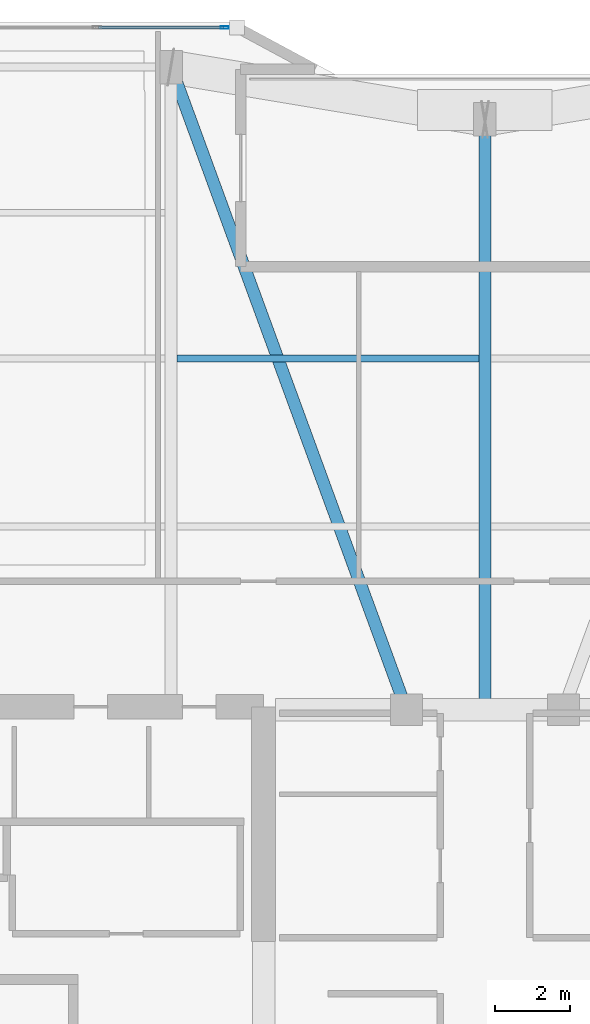
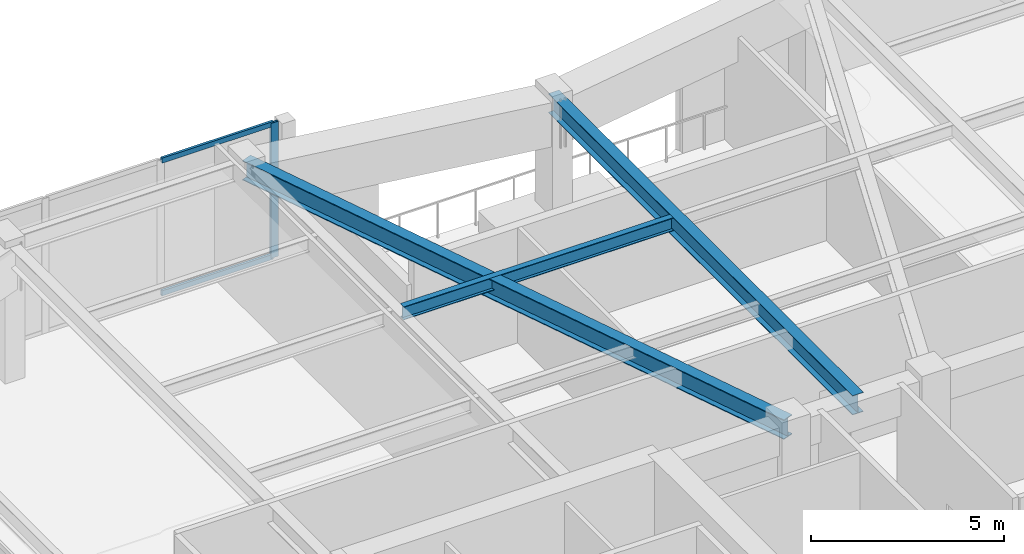
# One storey, part 8 of 19: 3 beams, 3 members, 1 element without a shape of its own.
"""IFC4 building model written with IfcOpenShell, lengths in metres."""

from ifc_helpers import new_model, si_unit, direction, frame, origin, origin_2d, place, context, subcontext, project, spatial, hollow_rectangle, i_section, extrude, material, layer, layer_set, material_profile, profile_set, type_object, element, aggregate, save


model = new_model("IFC4")

# Units and contexts
model_context = context("Model", 3, precision=1e-05, world=origin(), true_north=direction((0.0, 1.0)))
body_context = subcontext(model_context, "Body", "Model", "MODEL_VIEW")
ifc_project = project(units=[si_unit("LENGTHUNIT", "METRE"), si_unit("AREAUNIT", "SQUARE_METRE"), si_unit("VOLUMEUNIT", "CUBIC_METRE"), si_unit("PLANEANGLEUNIT", "RADIAN"), si_unit("MASSUNIT", "GRAM", prefix="KILO")], contexts=[model_context])

# Site, building, storey
site_placement = place(None, origin())
site = spatial("IfcSite", under=ifc_project, at=site_placement, CompositionType="ELEMENT")
building_placement = place(site_placement, origin())
building = spatial("IfcBuilding", under=site, at=building_placement, Name="Kiyonajd Concourse Tower", CompositionType="ELEMENT")
storey_placement = place(building_placement, frame((0.0, 0.0, 238.800048828125)))
storey = spatial("IfcBuildingStorey", under=building, at=storey_placement, Name="L60", CompositionType="ELEMENT", Elevation=238.800048828125)

# Beams
ifc_material_1 = material(Name="Steel ASTM A992 Grade 50", Category="steel")
ifc_material_profile_1 = material_profile(ifc_material_1, i_section(OverallWidth=0.180908203125, OverallDepth=0.4169921875, WebThickness=0.010986328125, FlangeThickness=0.018310546875, at=origin_2d()), Name="W410X85")
ifc_profile_set_1 = profile_set([ifc_material_profile_1], Name="Steel ASTM A992 Grade 50")
beam_type_1 = type_object("IfcBeamType", Name="BM-JST-410", PredefinedType="JOIST", material=ifc_profile_set_1)
beam_1_placement = place(storey_placement, frame((39.761962890625, 53.39990234375, 4.071533203125), z_axis=(1.0, 0.0, 0.0), x_axis=(0.0, 1.0, 0.0)))
element("IfcBeam", 1, at=beam_1_placement, inside=storey, type_object=beam_type_1, Name="L60 Secondary Floor Joist", PredefinedType="JOIST", context=body_context, shape_type="SweptSolid", body=[
    extrude(i_section(OverallWidth=0.180908203125, OverallDepth=0.4169921875, WebThickness=0.010986328125, FlangeThickness=0.018310546875, at=origin_2d()), origin(), (0.0, 0.0, 1.0), 8.075927734375),
])
ifc_material_profile_2 = material_profile(ifc_material_1, i_section(OverallWidth=0.326904296875, OverallDepth=0.6220703125, WebThickness=0.015380859375, FlangeThickness=0.0244140625, at=origin_2d()), Name="W610X195")
ifc_profile_set_2 = profile_set([ifc_material_profile_2], Name="Steel ASTM A992 Grade 50")
beam_type_2 = type_object("IfcBeamType", Name="BM-TWR-610A", PredefinedType="BEAM", material=ifc_profile_set_2)
beam_2_placement = place(storey_placement, frame((39.60009765625, 61.199951171875, 3.968994140625), z_axis=(0.343925269715, -0.938997022813, 0.0), x_axis=(0.938997022813, 0.343925269715, 0.0)))
element("IfcBeam", 2, at=beam_2_placement, inside=storey, type_object=beam_type_2, Name="L60 Core Tie Girder", PredefinedType="BEAM", context=body_context, shape_type="SweptSolid", body=[
    extrude(i_section(OverallWidth=0.326904296875, OverallDepth=0.6220703125, WebThickness=0.015380859375, FlangeThickness=0.0244140625, at=origin_2d()), origin(), (0.0, 0.0, 1.0), 18.3173828125),
])
ifc_material_profile_3 = material_profile(ifc_material_1, i_section(OverallWidth=0.323974609375, OverallDepth=0.611083984375, WebThickness=0.0126953125, FlangeThickness=0.01904296875, at=origin_2d()), Name="W610X155")
ifc_profile_set_3 = profile_set([ifc_material_profile_3], Name="Steel ASTM A992 Grade 50")
beam_type_3 = type_object("IfcBeamType", Name="BM-TWR-610B", PredefinedType="BEAM", material=ifc_profile_set_3)
beam_3_placement = place(storey_placement, frame((48.0, 44.0, 3.974365234375), z_axis=(0.0, 1.0, 0.0), x_axis=(-1.0, 0.0, 0.0)))
element("IfcBeam", 3, at=beam_3_placement, inside=storey, type_object=beam_type_3, Name="L60 North Ribbon Girder", PredefinedType="BEAM", context=body_context, shape_type="SweptSolid", body=[
    extrude(i_section(OverallWidth=0.323974609375, OverallDepth=0.611083984375, WebThickness=0.0126953125, FlangeThickness=0.01904296875, at=origin_2d()), origin(), (0.0, 0.0, 1.0), 15.800048828125),
])

# Curtain wall, members
ifc_material_2 = material(Name="Thermally Broken Anodised Aluminium", Category="aluminium")
ifc_layer = layer(ifc_material_2, 0.179931640625)
ifc_layer_set = layer_set([ifc_layer], Name="Thermally Broken Anodised Aluminium")
curtain_wall_type = type_object("IfcCurtainWallType", Name="CW-SYS-05", PredefinedType="NOTDEFINED", material=ifc_layer_set)
curtain_wall_placement = place(storey_placement, origin())
curtain_wall = element("IfcCurtainWall", 4, at=curtain_wall_placement, inside=storey, type_object=curtain_wall_type, Name="L60 Unitised Curtain Wall CW5", PredefinedType="NOTDEFINED")
ifc_material_profile_4 = material_profile(ifc_material_2, hollow_rectangle(XDim=0.074951171875, YDim=0.219970703125, WallThickness=0.0048828125, at=origin_2d()), Name="MULL-75x220")
ifc_profile_set_4 = profile_set([ifc_material_profile_4], Name="Thermally Broken Anodised Aluminium")
member_type_1 = type_object("IfcMemberType", Name="MB-CW-MULL2", PredefinedType="MULLION", material=ifc_profile_set_4)
member_1_placement = place(storey_placement, frame((41.037109375, 62.260009765625, 0.0), z_axis=(0.0, 0.0, 1.0), x_axis=(0.0, 1.0, 0.0)))
member_1 = element("IfcMember", 5, at=member_1_placement, type_object=member_type_1, Name="CW5 mullion 4", PredefinedType="MULLION", context=body_context, shape_type="SweptSolid", body=[
    extrude(hollow_rectangle(XDim=0.074951171875, YDim=0.219970703125, WallThickness=0.0048828125, at=origin_2d()), origin(), (0.0, 0.0, 1.0), 4.280029296875),
])
ifc_material_profile_5 = material_profile(ifc_material_2, hollow_rectangle(XDim=0.074951171875, YDim=0.159912109375, WallThickness=0.0048828125, at=origin_2d()), Name="TRAN-75x160")
ifc_profile_set_5 = profile_set([ifc_material_profile_5], Name="Thermally Broken Anodised Aluminium")
member_type_2 = type_object("IfcMemberType", Name="MB-CW-TRAN2", PredefinedType="USERDEFINED", material=ifc_profile_set_5)
member_2_placement = place(storey_placement, frame((37.65673828125, 62.260009765625, 0.037353515625), z_axis=(1.0, 0.0, 0.0), x_axis=(0.0, 1.0, 0.0)))
member_2 = element("IfcMember", 6, at=member_2_placement, type_object=member_type_2, Name="CW5 transom 3.1", ObjectType="TRANSOM", PredefinedType="USERDEFINED", context=body_context, shape_type="SweptSolid", body=[
    extrude(hollow_rectangle(XDim=0.074951171875, YDim=0.159912109375, WallThickness=0.0048828125, at=origin_2d()), origin(), (0.0, 0.0, 1.0), 3.343017578125),
])
member_3_placement = place(storey_placement, frame((37.65673828125, 62.260009765625, 4.242431640625), z_axis=(1.0, 0.0, 0.0), x_axis=(0.0, 1.0, 0.0)))
member_3 = element("IfcMember", 7, at=member_3_placement, type_object=member_type_2, Name="CW5 transom 3.2", ObjectType="TRANSOM", PredefinedType="USERDEFINED", context=body_context, shape_type="SweptSolid", body=[
    extrude(hollow_rectangle(XDim=0.074951171875, YDim=0.159912109375, WallThickness=0.0048828125, at=origin_2d()), origin(), (0.0, 0.0, 1.0), 3.343017578125),
])
aggregate(curtain_wall, [member_1, member_2, member_3])

save(model, "model.ifc")
